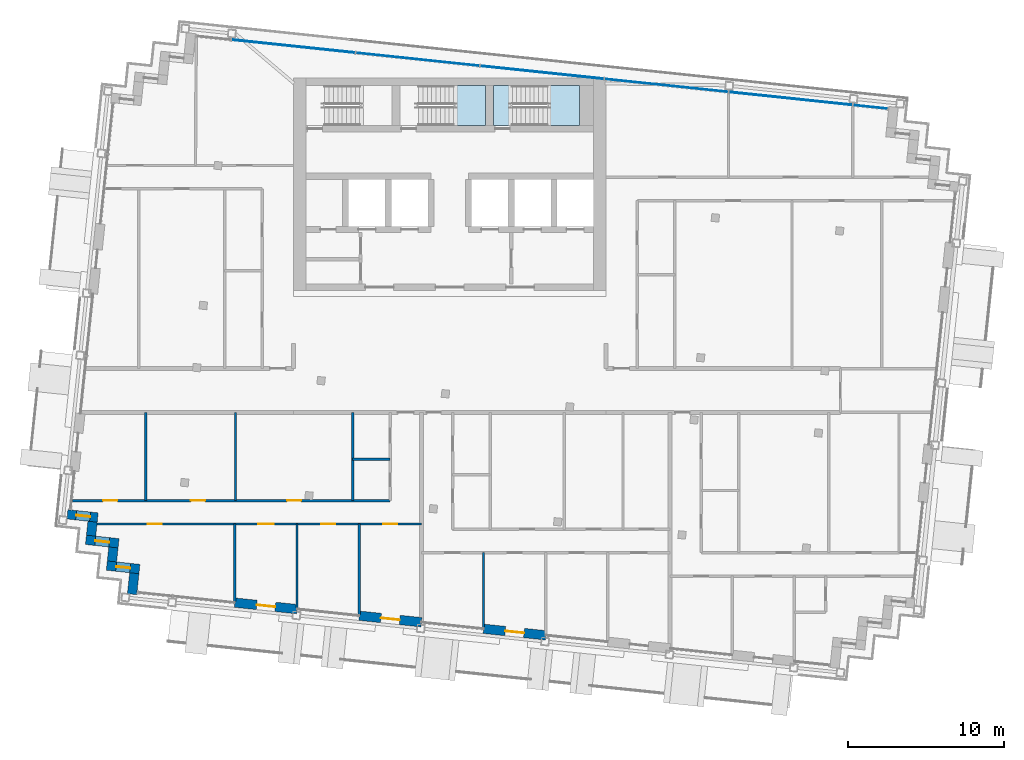
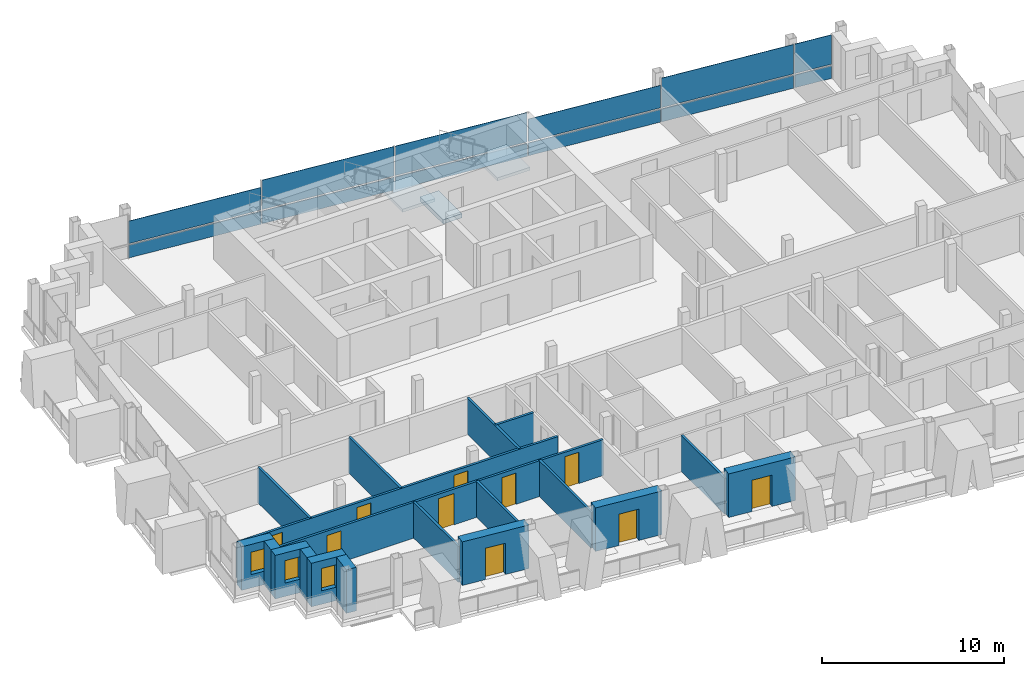
# One storey, part 8 of 17: 19 walls, 12 plates, 10 doors, 3 slabs, 3 windows, 13 openings, 3 elements without a shape of their own.
"""IFC4 building model written with IfcOpenShell, lengths in metres."""

from ifc_helpers import new_model, si_unit, direction, frame, frame_2d, origin, origin_2d, place, context, subcontext, project, spatial, polyline, rectangle, outline, extrude, material, layer, layer_set, type_object, element, fill, aggregate, save


model = new_model("IFC4")

# Units and contexts
model_context = context("Model", 3, precision=1e-05, world=origin(), true_north=direction((0.0, 1.0)))
body_context = subcontext(model_context, "Body", "Model", "MODEL_VIEW")
ifc_project = project(units=[si_unit("LENGTHUNIT", "METRE"), si_unit("AREAUNIT", "SQUARE_METRE"), si_unit("VOLUMEUNIT", "CUBIC_METRE"), si_unit("PLANEANGLEUNIT", "RADIAN"), si_unit("MASSUNIT", "GRAM", prefix="KILO")], contexts=[model_context])

# Site, building, storey
site_placement = place(None, origin())
site = spatial("IfcSite", under=ifc_project, at=site_placement, CompositionType="ELEMENT")
building_placement = place(site_placement, origin())
building = spatial("IfcBuilding", under=site, at=building_placement, Name="Vidyagriha Tower", CompositionType="ELEMENT")
storey_placement = place(building_placement, frame((0.0, 0.0, 262.699951171875)))
storey = spatial("IfcBuildingStorey", under=building, at=storey_placement, Name="L68", CompositionType="ELEMENT", Elevation=262.699951171875)

# Curtain wall, plates
ifc_material_1 = material(Name="Aluminium and glass curtain wall", Category="aluminium")
curtain_wall_type = type_object("IfcCurtainWallType", Name="Dwelling skin unitised curtain wall", PredefinedType="USERDEFINED", material=ifc_material_1)
curtain_wall_placement = place(storey_placement, origin())
curtain_wall = element("IfcCurtainWall", 1, at=curtain_wall_placement, inside=storey, type_object=curtain_wall_type, Name="CW1 dwelling skin", ObjectType="UNITISED", PredefinedType="USERDEFINED")
ifc_material_2 = material(Name="Glass dark ceramic-fritted spandrel", Category="glass")
ifc_layer_1 = layer(ifc_material_2, 0.0400390625)
ifc_layer_set_1 = layer_set([ifc_layer_1], Name="Glass dark ceramic-fritted spandrel")
plate_type_1 = type_object("IfcPlateType", Name="Ceramic-fritted spandrel panel", PredefinedType="CURTAIN_PANEL", material=ifc_layer_set_1)
plate_1_placement = place(storey_placement, frame((26.922607421875, 18.14599609375, 0.0), z_axis=(0.0, 0.0, 1.0), x_axis=(-0.994521854435, 0.104528852722, 0.0)))
plate_1 = element("IfcPlate", 2, at=plate_1_placement, type_object=plate_type_1, Name="CW1 panel 1.1", PredefinedType="CURTAIN_PANEL", context=body_context, shape_type="SweptSolid", body=[
    extrude(rectangle(XDim=2.195068359375, YDim=0.0400390625, at=origin_2d()), origin(), (0.0, 0.0, 1.0), 0.85009765625),
])
plate_2_placement = place(storey_placement, frame((13.862060546875, 19.518798828125, 0.0), z_axis=(0.0, 0.0, 1.0), x_axis=(-0.994521854435, 0.104528852722, 0.0)))
plate_2 = element("IfcPlate", 3, at=plate_2_placement, type_object=plate_type_1, Name="CW1 panel 3.1", PredefinedType="CURTAIN_PANEL", context=body_context, shape_type="SweptSolid", body=[
    extrude(rectangle(XDim=7.929931640625, YDim=0.0400390625, at=origin_2d()), origin(), (0.0, 0.0, 1.0), 0.85009765625),
])
plate_3_placement = place(storey_placement, frame((-2.05029296875, 21.191162109375, 0.0), z_axis=(0.0, 0.0, 1.0), x_axis=(-0.994521854435, 0.104528852722, 0.0)))
plate_3 = element("IfcPlate", 4, at=plate_3_placement, type_object=plate_type_1, Name="CW1 panel 5.1", PredefinedType="CURTAIN_PANEL", context=body_context, shape_type="SweptSolid", body=[
    extrude(rectangle(XDim=7.929931640625, YDim=0.0400390625, at=origin_2d()), origin(), (0.0, 0.0, 1.0), 0.85009765625),
])
ifc_material_3 = material(Name="Glass dark ceramic-fritted", Category="glass")
ifc_layer_2 = layer(ifc_material_3, 0.028076171875)
ifc_layer_set_2 = layer_set([ifc_layer_2], Name="Glass dark ceramic-fritted")
plate_type_2 = type_object("IfcPlateType", Name="Dark ceramic-fritted vision glass panel", PredefinedType="CURTAIN_PANEL", material=ifc_layer_set_2)
plate_4_placement = place(storey_placement, frame((26.922607421875, 18.14599609375, 0.9501953125), z_axis=(0.0, 0.0, 1.0), x_axis=(-0.994521854435, 0.104528852722, 0.0)))
plate_4 = element("IfcPlate", 5, at=plate_4_placement, type_object=plate_type_2, Name="CW1 panel 1.2", PredefinedType="CURTAIN_PANEL", context=body_context, shape_type="SweptSolid", body=[
    extrude(rectangle(XDim=2.195068359375, YDim=0.028076171875, at=origin_2d()), origin(), (0.0, 0.0, 1.0), 1.969970703125),
])
plate_5_placement = place(storey_placement, frame((21.818359375, 18.6826171875, 0.9501953125), z_axis=(0.0, 0.0, 1.0), x_axis=(-0.994521854435, 0.104528852722, 0.0)))
plate_5 = element("IfcPlate", 6, at=plate_5_placement, type_object=plate_type_2, Name="CW1 panel 2.2", PredefinedType="CURTAIN_PANEL", context=body_context, shape_type="SweptSolid", body=[
    extrude(rectangle(XDim=7.929931640625, YDim=0.028076171875, at=origin_2d()), origin(), (0.0, 0.0, 1.0), 1.969970703125),
])
plate_6_placement = place(storey_placement, frame((13.862060546875, 19.518798828125, 0.949951171875), z_axis=(0.0, 0.0, 1.0), x_axis=(-0.994521854435, 0.104528852722, 0.0)))
plate_6 = element("IfcPlate", 7, at=plate_6_placement, type_object=plate_type_2, Name="CW1 panel 3.2", PredefinedType="CURTAIN_PANEL", context=body_context, shape_type="SweptSolid", body=[
    extrude(rectangle(XDim=7.929931640625, YDim=0.028076171875, at=origin_2d()), origin(), (0.0, 0.0, 1.0), 1.5078125),
])
plate_7_placement = place(storey_placement, frame((5.906005859375, 20.35498046875, 0.9501953125), z_axis=(0.0, 0.0, 1.0), x_axis=(-0.994521854435, 0.104528852722, 0.0)))
plate_7 = element("IfcPlate", 8, at=plate_7_placement, type_object=plate_type_2, Name="CW1 panel 4.2", PredefinedType="CURTAIN_PANEL", context=body_context, shape_type="SweptSolid", body=[
    extrude(rectangle(XDim=7.929931640625, YDim=0.028076171875, at=origin_2d()), origin(), (0.0, 0.0, 1.0), 1.969970703125),
])
plate_8_placement = place(storey_placement, frame((-2.05029296875, 21.191162109375, 0.9501953125), z_axis=(0.0, 0.0, 1.0), x_axis=(-0.994521854435, 0.104528852722, 0.0)))
plate_8 = element("IfcPlate", 9, at=plate_8_placement, type_object=plate_type_2, Name="CW1 panel 5.2", PredefinedType="CURTAIN_PANEL", context=body_context, shape_type="SweptSolid", body=[
    extrude(rectangle(XDim=7.929931640625, YDim=0.028076171875, at=origin_2d()), origin(), (0.0, 0.0, 1.0), 1.969970703125),
])
plate_9_placement = place(storey_placement, frame((-10.00634765625, 22.027587890625, 0.949951171875), z_axis=(0.0, 0.0, 1.0), x_axis=(-0.994521854435, 0.104528852722, 0.0)))
plate_9 = element("IfcPlate", 10, at=plate_9_placement, type_object=plate_type_2, Name="CW1 panel 6.2", PredefinedType="CURTAIN_PANEL", context=body_context, shape_type="SweptSolid", body=[
    extrude(rectangle(XDim=7.929931640625, YDim=0.028076171875, at=origin_2d()), origin(), (0.0, 0.0, 1.0), 1.5078125),
])

# Slab
ifc_material_4 = material(Name="Concrete C40/50", Category="concrete")
ifc_layer_3 = layer(ifc_material_4, 0.280029296875)
ifc_layer_set_3 = layer_set([ifc_layer_3], Name="Concrete C40/50")
slab_type_1 = type_object("IfcSlabType", Name="Exit stair floor landing 280 mm", PredefinedType="LANDING", material=ifc_layer_set_3)
slab_1_placement = place(storey_placement, frame((0.0, 0.0, -0.280029296875)))
element("IfcSlab", 11, at=slab_1_placement, inside=storey, type_object=slab_type_1, Name="ST3 floor landing L68", PredefinedType="LANDING", context=body_context, shape_type="SweptSolid", body=[
    extrude(outline(polyline([(2.800048828125, 16.949951171875), (4.0, 16.949951171875), (4.0, 19.5), (2.800048828125, 19.5), (2.800048828125, 16.949951171875)])), origin(), (0.0, 0.0, 1.0), 0.280029296875),
])

# Stair, slab
ifc_material_5 = material(Name="Concrete C40/50", Category="concrete")
stair_type = type_object("IfcStairType", Name="Exit stair, half-turn, precast flights", PredefinedType="HALF_TURN_STAIR", material=ifc_material_5)
stair_1_placement = place(storey_placement, origin())
stair_1 = element("IfcStair", 12, at=stair_1_placement, inside=storey, type_object=stair_type, Name="L68 Exit Stair ST2", PredefinedType="HALF_TURN_STAIR")
ifc_material_6 = material(Name="Concrete C40/50", Category="concrete")
ifc_layer_4 = layer(ifc_material_6, 0.199951171875)
ifc_layer_set_4 = layer_set([ifc_layer_4], Name="Concrete C40/50")
slab_type_2 = type_object("IfcSlabType", Name="Exit stair landing 200 mm", PredefinedType="LANDING", material=ifc_layer_set_4)
slab_2_placement = place(storey_placement, frame((0.0, 0.0, 1.400146484375)))
slab_2 = element("IfcSlab", 13, at=slab_2_placement, type_object=slab_type_2, Name="ST2 landing 1", PredefinedType="LANDING", context=body_context, shape_type="SweptSolid", body=[
    extrude(outline(polyline([(0.239990234375, 16.949951171875), (2.300048828125, 16.949951171875), (2.300048828125, 19.5), (0.239990234375, 19.5), (0.239990234375, 16.949951171875)])), origin(), (0.0, 0.0, 1.0), 0.199951171875),
])
aggregate(stair_1, [slab_2])

stair_2_placement = place(storey_placement, origin())
stair_2 = element("IfcStair", 14, at=stair_2_placement, inside=storey, type_object=stair_type, Name="L68 Exit Stair ST3", PredefinedType="HALF_TURN_STAIR")
slab_3_placement = place(storey_placement, frame((0.0, 0.0, 1.400146484375)))
slab_3 = element("IfcSlab", 15, at=slab_3_placement, type_object=slab_type_2, Name="ST3 landing 1", PredefinedType="LANDING", context=body_context, shape_type="SweptSolid", body=[
    extrude(outline(polyline([(6.239990234375, 16.949951171875), (8.300048828125, 16.949951171875), (8.300048828125, 19.5), (6.239990234375, 19.5), (6.239990234375, 16.949951171875)])), origin(), (0.0, 0.0, 1.0), 0.199951171875),
])
aggregate(stair_2, [slab_3])

# Plate
ifc_material_7 = material(Name="Aluminium black anodised", Category="aluminium")
ifc_layer_5 = layer(ifc_material_7, 0.06005859375)
ifc_layer_set_5 = layer_set([ifc_layer_5], Name="Aluminium black anodised")
plate_type_3 = type_object("IfcPlateType", Name="Operable black-metal vent panel", PredefinedType="CURTAIN_PANEL", material=ifc_layer_set_5)
plate_10_placement = place(storey_placement, frame((21.818359375, 18.6826171875, 0.0), z_axis=(0.0, 0.0, 1.0), x_axis=(-0.994521854435, 0.104528852722, 0.0)))
plate_10 = element("IfcPlate", 16, at=plate_10_placement, type_object=plate_type_3, Name="CW1 panel 2.1", PredefinedType="CURTAIN_PANEL", context=body_context, shape_type="SweptSolid", body=[
    extrude(rectangle(XDim=7.929931640625, YDim=0.06005859375, at=origin_2d()), origin(), (0.0, 0.0, 1.0), 0.85009765625),
])

plate_11_placement = place(storey_placement, frame((5.906005859375, 20.35498046875, 0.0), z_axis=(0.0, 0.0, 1.0), x_axis=(-0.994521854435, 0.104528852722, 0.0)))
plate_11 = element("IfcPlate", 17, at=plate_11_placement, type_object=plate_type_3, Name="CW1 panel 4.1", PredefinedType="CURTAIN_PANEL", context=body_context, shape_type="SweptSolid", body=[
    extrude(rectangle(XDim=7.929931640625, YDim=0.06005859375, at=origin_2d()), origin(), (0.0, 0.0, 1.0), 0.85009765625),
])

plate_12_placement = place(storey_placement, frame((-10.00634765625, 22.027587890625, 0.0), z_axis=(0.0, 0.0, 1.0), x_axis=(-0.994521854435, 0.104528852722, 0.0)))
plate_12 = element("IfcPlate", 18, at=plate_12_placement, type_object=plate_type_3, Name="CW1 panel 6.1", PredefinedType="CURTAIN_PANEL", context=body_context, shape_type="SweptSolid", body=[
    extrude(rectangle(XDim=7.929931640625, YDim=0.06005859375, at=origin_2d()), origin(), (0.0, 0.0, 1.0), 0.85009765625),
])

aggregate(curtain_wall, [plate_1, plate_4, plate_10, plate_5, plate_2, plate_6, plate_11, plate_7, plate_3, plate_8, plate_12, plate_9])

# Wall, opening, window
ifc_material_8 = material(Name="Precast concrete C40/50 with brick facing", Category="concrete")
ifc_layer_6 = layer(ifc_material_8, 0.60009765625)
ifc_layer_set_6 = layer_set([ifc_layer_6], Name="Precast concrete C40/50 with brick facing")
wall_type_1 = type_object("IfcWallType", Name="Brick-faced precast wall 600", PredefinedType="STANDARD", material=ifc_layer_set_6)
wall_1_placement = place(storey_placement, frame((-24.466552734375, -7.92529296875, 0.0), z_axis=(0.0, 0.0, 1.0), x_axis=(0.994521219184, -0.104534896528, 0.0)))
wall_1 = element("IfcWall", 19, at=wall_1_placement, inside=storey, type_object=wall_type_1, Name="Stepped corner wall L68 R15", PredefinedType="STANDARD", context=body_context, shape_type="SweptSolid", body=[
    extrude(rectangle(XDim=1.9501953125, YDim=0.60009765625, at=frame_2d((0.97509765625, 0.0))), origin(), (0.0, 0.0, 1.0), 2.920166015625),
])
opening_1_placement = place(wall_1_placement, frame((0.56005859375, 0.0, 0.89990234375)))
opening_1 = element("IfcOpeningElement", 20, at=opening_1_placement, cuts=wall_1, Name="Opening WN1", PredefinedType="OPENING", context=body_context, shape_type="SweptSolid", body=[
    extrude(rectangle(XDim=0.89990234375, YDim=1.5, at=frame_2d((0.449951171875, 0.75))), frame((0.0, 0.31005859375, 0.0), z_axis=(0.0, -1.0, 0.0), x_axis=(1.0, 0.0, 0.0)), (0.0, 0.0, 1.0), 0.6201171875),
])
ifc_material_9 = material(Name="Aluminium and glass window", Category="aluminium")
window_type = type_object("IfcWindowType", Name="Reveal window 900x1500", PartitioningType="NOTDEFINED", PredefinedType="WINDOW", material=ifc_material_9)
window_1_placement = place(opening_1_placement, origin())
window_1 = element("IfcWindow", 21, at=window_1_placement, inside=storey, type_object=window_type, Name="Reveal window L68 R15", OverallHeight=1.5, OverallWidth=0.89990234375, PartitioningType="SINGLE_PANEL", PredefinedType="WINDOW", context=body_context, shape_type="SweptSolid", body=[
    extrude(rectangle(XDim=0.89990234375, YDim=1.5, at=frame_2d((0.449951171875, 0.75))), frame((0.0, 0.030029296875, 0.0), z_axis=(0.0, -1.0, 0.0), x_axis=(1.0, 0.0, 0.0)), (0.0, 0.0, 1.0), 0.06005859375),
])
fill(opening_1, window_1)

# Wall
wall_2_placement = place(storey_placement, frame((-22.85693359375, -8.39599609375, 0.0), z_axis=(0.0, 0.0, 1.0), x_axis=(-0.104444712852, -0.994530694326, 0.0)))
element("IfcWall", 22, at=wall_2_placement, inside=storey, type_object=wall_type_1, Name="Stepped corner wall L68 R16", PredefinedType="STANDARD", context=body_context, shape_type="SweptSolid", body=[
    extrude(rectangle(XDim=0.89990234375, YDim=0.60009765625, at=frame_2d((0.449951171875, 0.0))), origin(), (0.0, 0.0, 1.0), 2.920166015625),
])

# Wall, opening, window
wall_3_placement = place(storey_placement, frame((-23.28076171875, -9.55810546875, 0.0), z_axis=(0.0, 0.0, 1.0), x_axis=(0.994523910136, -0.104509292252, 0.0)))
wall_3 = element("IfcWall", 23, at=wall_3_placement, inside=storey, type_object=wall_type_1, Name="Stepped corner wall L68 R17", PredefinedType="STANDARD", context=body_context, shape_type="SweptSolid", body=[
    extrude(rectangle(XDim=2.10009765625, YDim=0.60009765625, at=frame_2d((1.050048828125, 0.0))), origin(), (0.0, 0.0, 1.0), 2.920166015625),
])
opening_2_placement = place(wall_3_placement, frame((0.60009765625, 0.0, 0.89990234375)))
opening_2 = element("IfcOpeningElement", 24, at=opening_2_placement, cuts=wall_3, Name="Opening WN1", PredefinedType="OPENING", context=body_context, shape_type="SweptSolid", body=[
    extrude(rectangle(XDim=0.89990234375, YDim=1.5, at=frame_2d((0.449951171875, 0.75))), frame((0.0, 0.31005859375, 0.0), z_axis=(0.0, -1.0, 0.0), x_axis=(1.0, 0.0, 0.0)), (0.0, 0.0, 1.0), 0.6201171875),
])
window_2_placement = place(opening_2_placement, origin())
window_2 = element("IfcWindow", 25, at=window_2_placement, inside=storey, type_object=window_type, Name="Reveal window L68 R17", OverallHeight=1.5, OverallWidth=0.89990234375, PartitioningType="SINGLE_PANEL", PredefinedType="WINDOW", context=body_context, shape_type="SweptSolid", body=[
    extrude(rectangle(XDim=0.89990234375, YDim=1.5, at=frame_2d((0.449951171875, 0.75))), frame((0.0, 0.030029296875, 0.0), z_axis=(0.0, -1.0, 0.0), x_axis=(1.0, 0.0, 0.0)), (0.0, 0.0, 1.0), 0.06005859375),
])
fill(opening_2, window_2)

# Wall
wall_4_placement = place(storey_placement, frame((-21.52197265625, -10.04443359375, 0.0), z_axis=(0.0, 0.0, 1.0), x_axis=(-0.104416541099, -0.994533652495, 0.0)))
element("IfcWall", 26, at=wall_4_placement, inside=storey, type_object=wall_type_1, Name="Stepped corner wall L68 R18", PredefinedType="STANDARD", context=body_context, shape_type="SweptSolid", body=[
    extrude(rectangle(XDim=0.900146484375, YDim=0.60009765625, at=frame_2d((0.4501953125, 0.0))), origin(), (0.0, 0.0, 1.0), 2.920166015625),
])

# Wall, opening, window
wall_5_placement = place(storey_placement, frame((-21.94580078125, -11.20654296875, 0.0), z_axis=(0.0, 0.0, 1.0), x_axis=(0.994511820899, -0.104624271047, 0.0)))
wall_5 = element("IfcWall", 27, at=wall_5_placement, inside=storey, type_object=wall_type_1, Name="Stepped corner wall L68 R19", PredefinedType="STANDARD", context=body_context, shape_type="SweptSolid", body=[
    extrude(rectangle(XDim=2.10009765625, YDim=0.60009765625, at=frame_2d((1.050048828125, 0.0))), origin(), (0.0, 0.0, 1.0), 2.920166015625),
])
opening_3_placement = place(wall_5_placement, frame((0.60009765625, 0.0, 0.89990234375)))
opening_3 = element("IfcOpeningElement", 28, at=opening_3_placement, cuts=wall_5, Name="Opening WN1", PredefinedType="OPENING", context=body_context, shape_type="SweptSolid", body=[
    extrude(rectangle(XDim=0.89990234375, YDim=1.5, at=frame_2d((0.449951171875, 0.75))), frame((0.0, 0.31005859375, 0.0), z_axis=(0.0, -1.0, 0.0), x_axis=(1.0, 0.0, 0.0)), (0.0, 0.0, 1.0), 0.6201171875),
])
window_3_placement = place(opening_3_placement, origin())
window_3 = element("IfcWindow", 29, at=window_3_placement, inside=storey, type_object=window_type, Name="Reveal window L68 R19", OverallHeight=1.5, OverallWidth=0.89990234375, PartitioningType="SINGLE_PANEL", PredefinedType="WINDOW", context=body_context, shape_type="SweptSolid", body=[
    extrude(rectangle(XDim=0.89990234375, YDim=1.5, at=frame_2d((0.449951171875, 0.75))), frame((0.0, 0.030029296875, 0.0), z_axis=(0.0, -1.0, 0.0), x_axis=(1.0, 0.0, 0.0)), (0.0, 0.0, 1.0), 0.06005859375),
])
fill(opening_3, window_3)

# Wall
wall_6_placement = place(storey_placement, frame((-20.18701171875, -11.693115234375, 0.0), z_axis=(0.0, 0.0, 1.0), x_axis=(-0.1043365026, -0.994542052517, 0.0)))
element("IfcWall", 30, at=wall_6_placement, inside=storey, type_object=wall_type_1, Name="Stepped corner wall L68 R20", PredefinedType="STANDARD", context=body_context, shape_type="SweptSolid", body=[
    extrude(rectangle(XDim=1.35009765625, YDim=0.60009765625, at=frame_2d((0.675048828125, 0.0))), origin(), (0.0, 0.0, 1.0), 2.920166015625),
])

# Wall, opening, door
wall_7_placement = place(storey_placement, frame((-13.74853515625, -13.576416015625, 0.0), z_axis=(0.0, 0.0, 1.0), x_axis=(0.994519156568, -0.104554517933, 0.0)))
wall_7 = element("IfcWall", 31, at=wall_7_placement, inside=storey, type_object=wall_type_1, Name="Brick door bay wall L68 R21.3", PredefinedType="STANDARD", context=body_context, shape_type="SweptSolid", body=[
    extrude(rectangle(XDim=4.0, YDim=0.60009765625, at=frame_2d((2.0, 0.0))), origin(), (0.0, 0.0, 1.0), 2.920166015625),
])
opening_4_placement = place(wall_7_placement, frame((1.39990234375, 0.0, 0.0)))
opening_4 = element("IfcOpeningElement", 32, at=opening_4_placement, cuts=wall_7, Name="Opening D68-60", PredefinedType="OPENING", context=body_context, shape_type="SweptSolid", body=[
    extrude(rectangle(XDim=1.199951171875, YDim=2.10009765625, at=frame_2d((0.60009765625, 1.050048828125))), frame((0.0, 0.31005859375, 0.0), z_axis=(0.0, -1.0, 0.0), x_axis=(1.0, 0.0, 0.0)), (0.0, 0.0, 1.0), 0.6201171875),
])
ifc_material_10 = material(Name="Aluminium framed glazed sliding door", Category="aluminium")
door_type_1 = type_object("IfcDoorType", Name="Balcony sliding door 1200x2100", OperationType="NOTDEFINED", PredefinedType="DOOR", material=ifc_material_10)
door_1_placement = place(opening_4_placement, origin())
door_1 = element("IfcDoor", 33, at=door_1_placement, inside=storey, type_object=door_type_1, Name="Door D68-60", OperationType="SLIDING_TO_LEFT", OverallHeight=2.10009765625, OverallWidth=1.199951171875, PredefinedType="DOOR", context=body_context, shape_type="SweptSolid", body=[
    extrude(rectangle(XDim=1.199951171875, YDim=2.10009765625, at=frame_2d((0.60009765625, 1.050048828125))), frame((0.0, 0.02490234375, 0.0), z_axis=(0.0, -1.0, 0.0), x_axis=(1.0, 0.0, 0.0)), (0.0, 0.0, 1.0), 0.050048828125),
])
fill(opening_4, door_1)

wall_8_placement = place(storey_placement, frame((-5.792236328125, -14.412841796875, 0.0), z_axis=(0.0, 0.0, 1.0), x_axis=(0.99452550138, -0.104494148666, 0.0)))
wall_8 = element("IfcWall", 34, at=wall_8_placement, inside=storey, type_object=wall_type_1, Name="Brick door bay wall L68 R21.5", PredefinedType="STANDARD", context=body_context, shape_type="SweptSolid", body=[
    extrude(rectangle(XDim=4.0, YDim=0.60009765625, at=frame_2d((2.0, 0.0))), origin(), (0.0, 0.0, 1.0), 2.920166015625),
])
opening_5_placement = place(wall_8_placement, frame((1.39990234375, 0.0, 0.0)))
opening_5 = element("IfcOpeningElement", 35, at=opening_5_placement, cuts=wall_8, Name="Opening D68-61", PredefinedType="OPENING", context=body_context, shape_type="SweptSolid", body=[
    extrude(rectangle(XDim=1.199951171875, YDim=2.10009765625, at=frame_2d((0.60009765625, 1.050048828125))), frame((0.0, 0.31005859375, 0.0), z_axis=(0.0, -1.0, 0.0), x_axis=(1.0, 0.0, 0.0)), (0.0, 0.0, 1.0), 0.6201171875),
])
door_2_placement = place(opening_5_placement, origin())
door_2 = element("IfcDoor", 36, at=door_2_placement, inside=storey, type_object=door_type_1, Name="Door D68-61", OperationType="SLIDING_TO_LEFT", OverallHeight=2.10009765625, OverallWidth=1.199951171875, PredefinedType="DOOR", context=body_context, shape_type="SweptSolid", body=[
    extrude(rectangle(XDim=1.199951171875, YDim=2.10009765625, at=frame_2d((0.60009765625, 1.050048828125))), frame((0.0, 0.02490234375, 0.0), z_axis=(0.0, -1.0, 0.0), x_axis=(1.0, 0.0, 0.0)), (0.0, 0.0, 1.0), 0.050048828125),
])
fill(opening_5, door_2)

wall_9_placement = place(storey_placement, frame((2.163818359375, -15.2490234375, 0.0), z_axis=(0.0, 0.0, 1.0), x_axis=(0.99452550138, -0.104494148666, 0.0)))
wall_9 = element("IfcWall", 37, at=wall_9_placement, inside=storey, type_object=wall_type_1, Name="Brick door bay wall L68 R21.7", PredefinedType="STANDARD", context=body_context, shape_type="SweptSolid", body=[
    extrude(rectangle(XDim=4.0, YDim=0.60009765625, at=frame_2d((2.0, 0.0))), origin(), (0.0, 0.0, 1.0), 2.920166015625),
])
opening_6_placement = place(wall_9_placement, frame((1.39990234375, 0.0, 0.0)))
opening_6 = element("IfcOpeningElement", 38, at=opening_6_placement, cuts=wall_9, Name="Opening D68-62", PredefinedType="OPENING", context=body_context, shape_type="SweptSolid", body=[
    extrude(rectangle(XDim=1.199951171875, YDim=2.10009765625, at=frame_2d((0.60009765625, 1.050048828125))), frame((0.0, 0.31005859375, 0.0), z_axis=(0.0, -1.0, 0.0), x_axis=(1.0, 0.0, 0.0)), (0.0, 0.0, 1.0), 0.6201171875),
])
door_3_placement = place(opening_6_placement, origin())
door_3 = element("IfcDoor", 39, at=door_3_placement, inside=storey, type_object=door_type_1, Name="Door D68-62", OperationType="SLIDING_TO_LEFT", OverallHeight=2.10009765625, OverallWidth=1.199951171875, PredefinedType="DOOR", context=body_context, shape_type="SweptSolid", body=[
    extrude(rectangle(XDim=1.199951171875, YDim=2.10009765625, at=frame_2d((0.60009765625, 1.050048828125))), frame((0.0, 0.02490234375, 0.0), z_axis=(0.0, -1.0, 0.0), x_axis=(1.0, 0.0, 0.0)), (0.0, 0.0, 1.0), 0.050048828125),
])
fill(opening_6, door_3)

# Walls
ifc_material_11 = material(Name="Gypsum board partition")
ifc_layer_7 = layer(ifc_material_11, 0.14990234375)
ifc_layer_set_7 = layer_set([ifc_layer_7], Name="Gypsum board partition")
wall_type_2 = type_object("IfcWallType", Name="Gypsum board partition 150", PredefinedType="PARTITIONING", material=ifc_layer_set_7)
wall_10_placement = place(storey_placement, frame((-3.81396484375, -4.39990234375, 0.0), z_axis=(0.0, 0.0, 1.0), x_axis=(-1.0, 0.0, 0.0)))
element("IfcWall", 40, at=wall_10_placement, inside=storey, type_object=wall_type_2, Name="Wall all-L68-w004", PredefinedType="PARTITIONING", context=body_context, shape_type="SweptSolid", body=[
    extrude(rectangle(XDim=2.400146484375, YDim=0.14990234375, at=frame_2d((1.2001953125, 0.0))), origin(), (0.0, 0.0, 1.0), 2.400146484375),
])
for number, where, z_axis, x_axis, name in (
    (41, (-6.214111328125, -7.046630859375, 0.0), (0.0, 0.0, 1.0), (0.0, 1.0, 0.0), "Wall all-L68-w005"),
    (42, (-13.714111328125, -7.046630859375, 0.0), (0.0, 0.0, 1.0), (0.0, 1.0, 0.0), "Wall all-L68-w006"),
    (43, (-19.464111328125, -7.046630859375, 0.0), (0.0, 0.0, 1.0), (0.0, 1.0, 0.0), "Wall all-L68-w007"),
):
    element("IfcWall", number, at=place(storey_placement, frame(where, z_axis=z_axis, x_axis=x_axis)), inside=storey, type_object=wall_type_2, Name=name, PredefinedType="PARTITIONING", context=body_context, shape_type="SweptSolid", body=[
        extrude(rectangle(XDim=5.646728515625, YDim=0.14990234375, at=frame_2d((2.8232421875, 0.0))), origin(), (0.0, 0.0, 1.0), 2.400146484375),
    ])

# Wall, openings, doors
wall_11_placement = place(storey_placement, frame((-24.143798828125, -7.046630859375, 0.0)))
wall_11 = element("IfcWall", 44, at=wall_11_placement, inside=storey, type_object=wall_type_2, Name="Wall all-L68-w008", PredefinedType="PARTITIONING", context=body_context, shape_type="SweptSolid", body=[
    extrude(rectangle(XDim=20.329833984375, YDim=0.14990234375, at=frame_2d((10.1650390625, 0.0))), origin(), (0.0, 0.0, 1.0), 2.400146484375),
])
opening_7_placement = place(wall_11_placement, frame((13.72998046875, 0.0, 0.0)))
opening_7 = element("IfcOpeningElement", 45, at=opening_7_placement, cuts=wall_11, Name="Opening D68-13", PredefinedType="OPENING", context=body_context, shape_type="SweptSolid", body=[
    extrude(rectangle(XDim=0.89990234375, YDim=2.10009765625, at=frame_2d((0.449951171875, 1.050048828125))), frame((0.0, 0.0849609375, 0.0), z_axis=(0.0, -1.0, 0.0), x_axis=(1.0, 0.0, 0.0)), (0.0, 0.0, 1.0), 0.169921875),
])
opening_8_placement = place(wall_11_placement, frame((7.585205078125, 0.0, 0.0)))
opening_8 = element("IfcOpeningElement", 46, at=opening_8_placement, cuts=wall_11, Name="Opening D68-14", PredefinedType="OPENING", context=body_context, shape_type="SweptSolid", body=[
    extrude(rectangle(XDim=0.89990234375, YDim=2.10009765625, at=frame_2d((0.449951171875, 1.050048828125))), frame((0.0, 0.0849609375, 0.0), z_axis=(0.0, -1.0, 0.0), x_axis=(1.0, 0.0, 0.0)), (0.0, 0.0, 1.0), 0.169921875),
])
opening_9_placement = place(wall_11_placement, frame((1.968017578125, 0.0, 0.0)))
opening_9 = element("IfcOpeningElement", 47, at=opening_9_placement, cuts=wall_11, Name="Opening D68-15", PredefinedType="OPENING", context=body_context, shape_type="SweptSolid", body=[
    extrude(rectangle(XDim=0.89990234375, YDim=2.10009765625, at=frame_2d((0.449951171875, 1.050048828125))), frame((0.0, 0.0849609375, 0.0), z_axis=(0.0, -1.0, 0.0), x_axis=(1.0, 0.0, 0.0)), (0.0, 0.0, 1.0), 0.169921875),
])
ifc_material_12 = material(Name="Timber door leaf", Category="wood")
door_type_2 = type_object("IfcDoorType", Name="Room door 900x2100", OperationType="NOTDEFINED", PredefinedType="DOOR", material=ifc_material_12)
door_4_placement = place(opening_7_placement, origin())
door_4 = element("IfcDoor", 48, at=door_4_placement, inside=storey, type_object=door_type_2, Name="Door D68-13", OperationType="SINGLE_SWING_LEFT", OverallHeight=2.10009765625, OverallWidth=0.89990234375, PredefinedType="DOOR", context=body_context, shape_type="SweptSolid", body=[
    extrude(rectangle(XDim=0.89990234375, YDim=2.10009765625, at=frame_2d((0.449951171875, 1.050048828125))), frame((0.0, 0.02490234375, 0.0), z_axis=(0.0, -1.0, 0.0), x_axis=(1.0, 0.0, 0.0)), (0.0, 0.0, 1.0), 0.050048828125),
])
fill(opening_7, door_4)
door_5_placement = place(opening_8_placement, origin())
door_5 = element("IfcDoor", 49, at=door_5_placement, inside=storey, type_object=door_type_2, Name="Door D68-14", OperationType="SINGLE_SWING_RIGHT", OverallHeight=2.10009765625, OverallWidth=0.89990234375, PredefinedType="DOOR", context=body_context, shape_type="SweptSolid", body=[
    extrude(rectangle(XDim=0.89990234375, YDim=2.10009765625, at=frame_2d((0.449951171875, 1.050048828125))), frame((0.0, 0.02490234375, 0.0), z_axis=(0.0, -1.0, 0.0), x_axis=(1.0, 0.0, 0.0)), (0.0, 0.0, 1.0), 0.050048828125),
])
fill(opening_8, door_5)
door_6_placement = place(opening_9_placement, origin())
door_6 = element("IfcDoor", 50, at=door_6_placement, inside=storey, type_object=door_type_2, Name="Door D68-15", OperationType="SINGLE_SWING_LEFT", OverallHeight=2.10009765625, OverallWidth=0.89990234375, PredefinedType="DOOR", context=body_context, shape_type="SweptSolid", body=[
    extrude(rectangle(XDim=0.89990234375, YDim=2.10009765625, at=frame_2d((0.449951171875, 1.050048828125))), frame((0.0, 0.02490234375, 0.0), z_axis=(0.0, -1.0, 0.0), x_axis=(1.0, 0.0, 0.0)), (0.0, 0.0, 1.0), 0.050048828125),
])
fill(opening_9, door_6)

wall_12_placement = place(storey_placement, frame((-1.81396484375, -8.546630859375, 0.0), z_axis=(0.0, 0.0, 1.0), x_axis=(-1.0, 0.0, 0.0)))
wall_12 = element("IfcWall", 51, at=wall_12_placement, inside=storey, type_object=wall_type_2, Name="Wall all-L68-w012", PredefinedType="PARTITIONING", context=body_context, shape_type="SweptSolid", body=[
    extrude(rectangle(XDim=20.767333984375, YDim=0.14990234375, at=frame_2d((10.3837890625, 0.0))), origin(), (0.0, 0.0, 1.0), 2.400146484375),
])
opening_10_placement = place(wall_12_placement, frame((16.604248046875, 0.0, 0.0)))
opening_10 = element("IfcOpeningElement", 52, at=opening_10_placement, cuts=wall_12, Name="Opening D68-16", PredefinedType="OPENING", context=body_context, shape_type="SweptSolid", body=[
    extrude(rectangle(XDim=0.89990234375, YDim=2.10009765625, at=frame_2d((0.449951171875, 1.050048828125))), frame((0.0, 0.0849609375, 0.0), z_axis=(0.0, -1.0, 0.0), x_axis=(1.0, 0.0, 0.0)), (0.0, 0.0, 1.0), 0.169921875),
])
opening_11_placement = place(wall_12_placement, frame((9.445556640625, 0.0, 0.0)))
opening_11 = element("IfcOpeningElement", 53, at=opening_11_placement, cuts=wall_12, Name="Opening D68-17", PredefinedType="OPENING", context=body_context, shape_type="SweptSolid", body=[
    extrude(rectangle(XDim=1.0, YDim=2.10009765625, at=frame_2d((0.5, 1.050048828125))), frame((0.0, 0.0849609375, 0.0), z_axis=(0.0, -1.0, 0.0), x_axis=(1.0, 0.0, 0.0)), (0.0, 0.0, 1.0), 0.169921875),
])
opening_12_placement = place(wall_12_placement, frame((5.517333984375, 0.0, 0.0)))
opening_12 = element("IfcOpeningElement", 54, at=opening_12_placement, cuts=wall_12, Name="Opening D68-18", PredefinedType="OPENING", context=body_context, shape_type="SweptSolid", body=[
    extrude(rectangle(XDim=0.89990234375, YDim=2.10009765625, at=frame_2d((0.449951171875, 1.050048828125))), frame((0.0, 0.0849609375, 0.0), z_axis=(0.0, -1.0, 0.0), x_axis=(1.0, 0.0, 0.0)), (0.0, 0.0, 1.0), 0.169921875),
])
opening_13_placement = place(wall_12_placement, frame((1.539306640625, 0.0, 0.0)))
opening_13 = element("IfcOpeningElement", 55, at=opening_13_placement, cuts=wall_12, Name="Opening D68-19", PredefinedType="OPENING", context=body_context, shape_type="SweptSolid", body=[
    extrude(rectangle(XDim=0.89990234375, YDim=2.10009765625, at=frame_2d((0.449951171875, 1.050048828125))), frame((0.0, 0.0849609375, 0.0), z_axis=(0.0, -1.0, 0.0), x_axis=(1.0, 0.0, 0.0)), (0.0, 0.0, 1.0), 0.169921875),
])
ifc_material_13 = material(Name="Timber door leaf", Category="wood")
door_type_3 = type_object("IfcDoorType", Name="Room door 1000x2100", OperationType="NOTDEFINED", PredefinedType="DOOR", material=ifc_material_13)
door_7_placement = place(opening_11_placement, origin())
door_7 = element("IfcDoor", 56, at=door_7_placement, inside=storey, type_object=door_type_3, Name="Door D68-17", OperationType="SINGLE_SWING_RIGHT", OverallHeight=2.10009765625, OverallWidth=1.0, PredefinedType="DOOR", context=body_context, shape_type="SweptSolid", body=[
    extrude(rectangle(XDim=1.0, YDim=2.10009765625, at=frame_2d((0.5, 1.050048828125))), frame((0.0, 0.02490234375, 0.0), z_axis=(0.0, -1.0, 0.0), x_axis=(1.0, 0.0, 0.0)), (0.0, 0.0, 1.0), 0.050048828125),
])
fill(opening_11, door_7)
door_8_placement = place(opening_10_placement, origin())
door_8 = element("IfcDoor", 57, at=door_8_placement, inside=storey, type_object=door_type_2, Name="Door D68-16", OperationType="SINGLE_SWING_RIGHT", OverallHeight=2.10009765625, OverallWidth=0.89990234375, PredefinedType="DOOR", context=body_context, shape_type="SweptSolid", body=[
    extrude(rectangle(XDim=0.89990234375, YDim=2.10009765625, at=frame_2d((0.449951171875, 1.050048828125))), frame((0.0, 0.02490234375, 0.0), z_axis=(0.0, -1.0, 0.0), x_axis=(1.0, 0.0, 0.0)), (0.0, 0.0, 1.0), 0.050048828125),
])
fill(opening_10, door_8)
door_9_placement = place(opening_12_placement, origin())
door_9 = element("IfcDoor", 58, at=door_9_placement, inside=storey, type_object=door_type_2, Name="Door D68-18", OperationType="SINGLE_SWING_RIGHT", OverallHeight=2.10009765625, OverallWidth=0.89990234375, PredefinedType="DOOR", context=body_context, shape_type="SweptSolid", body=[
    extrude(rectangle(XDim=0.89990234375, YDim=2.10009765625, at=frame_2d((0.449951171875, 1.050048828125))), frame((0.0, 0.02490234375, 0.0), z_axis=(0.0, -1.0, 0.0), x_axis=(1.0, 0.0, 0.0)), (0.0, 0.0, 1.0), 0.050048828125),
])
fill(opening_12, door_9)
door_10_placement = place(opening_13_placement, origin())
door_10 = element("IfcDoor", 59, at=door_10_placement, inside=storey, type_object=door_type_2, Name="Door D68-19", OperationType="SINGLE_SWING_RIGHT", OverallHeight=2.10009765625, OverallWidth=0.89990234375, PredefinedType="DOOR", context=body_context, shape_type="SweptSolid", body=[
    extrude(rectangle(XDim=0.89990234375, YDim=2.10009765625, at=frame_2d((0.449951171875, 1.050048828125))), frame((0.0, 0.02490234375, 0.0), z_axis=(0.0, -1.0, 0.0), x_axis=(1.0, 0.0, 0.0)), (0.0, 0.0, 1.0), 0.050048828125),
])
fill(opening_13, door_10)

# Walls
wall_13_placement = place(storey_placement, frame((-13.74853515625, -8.546630859375, 0.0), z_axis=(0.0, 0.0, 1.0), x_axis=(0.0, -1.0, 0.0)))
element("IfcWall", 60, at=wall_13_placement, inside=storey, type_object=wall_type_2, Name="Wall all-L68-w017", PredefinedType="PARTITIONING", context=body_context, shape_type="SweptSolid", body=[
    extrude(rectangle(XDim=4.950439453125, YDim=0.14990234375, at=frame_2d((2.47509765625, 0.0))), origin(), (0.0, 0.0, 1.0), 2.400146484375),
])
wall_14_placement = place(storey_placement, frame((-9.7705078125, -8.546630859375, 0.0), z_axis=(0.0, 0.0, 1.0), x_axis=(0.0, -1.0, 0.0)))
element("IfcWall", 61, at=wall_14_placement, inside=storey, type_object=wall_type_2, Name="Wall all-L68-w018", PredefinedType="PARTITIONING", context=body_context, shape_type="SweptSolid", body=[
    extrude(rectangle(XDim=5.357666015625, YDim=0.14990234375, at=frame_2d((2.6787109375, 0.0))), origin(), (0.0, 0.0, 1.0), 2.400146484375),
])
wall_15_placement = place(storey_placement, frame((-5.792236328125, -8.546630859375, 0.0), z_axis=(0.0, 0.0, 1.0), x_axis=(0.0, -1.0, 0.0)))
element("IfcWall", 62, at=wall_15_placement, inside=storey, type_object=wall_type_2, Name="Wall all-L68-w019", PredefinedType="PARTITIONING", context=body_context, shape_type="SweptSolid", body=[
    extrude(rectangle(XDim=5.78662109375, YDim=0.14990234375, at=frame_2d((2.893310546875, 0.0))), origin(), (0.0, 0.0, 1.0), 2.400146484375),
])
wall_16_placement = place(storey_placement, frame((2.163818359375, -10.383544921875, 0.0), z_axis=(0.0, 0.0, 1.0), x_axis=(0.0, -1.0, 0.0)))
element("IfcWall", 63, at=wall_16_placement, inside=storey, type_object=wall_type_2, Name="Wall all-L68-w037", PredefinedType="PARTITIONING", context=body_context, shape_type="SweptSolid", body=[
    extrude(rectangle(XDim=4.785888671875, YDim=0.14990234375, at=frame_2d((2.39306640625, 0.0))), origin(), (0.0, 0.0, 1.0), 2.400146484375),
])

save(model, "model.ifc")
